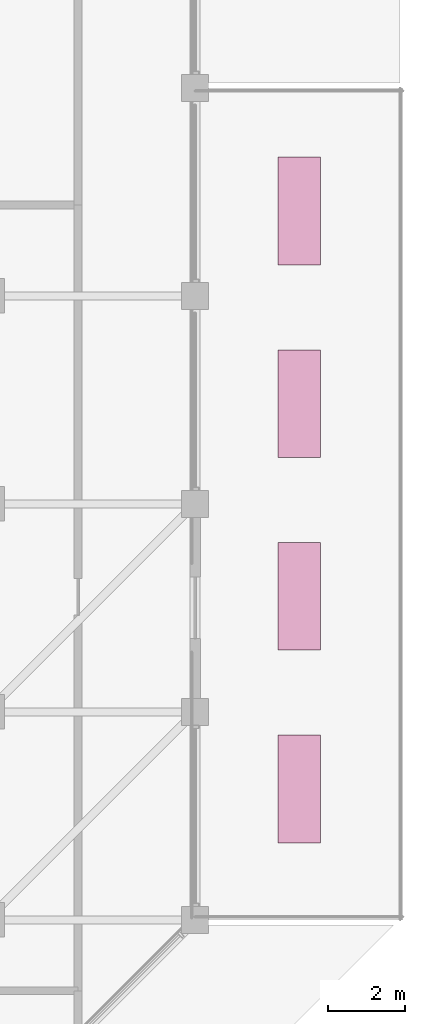
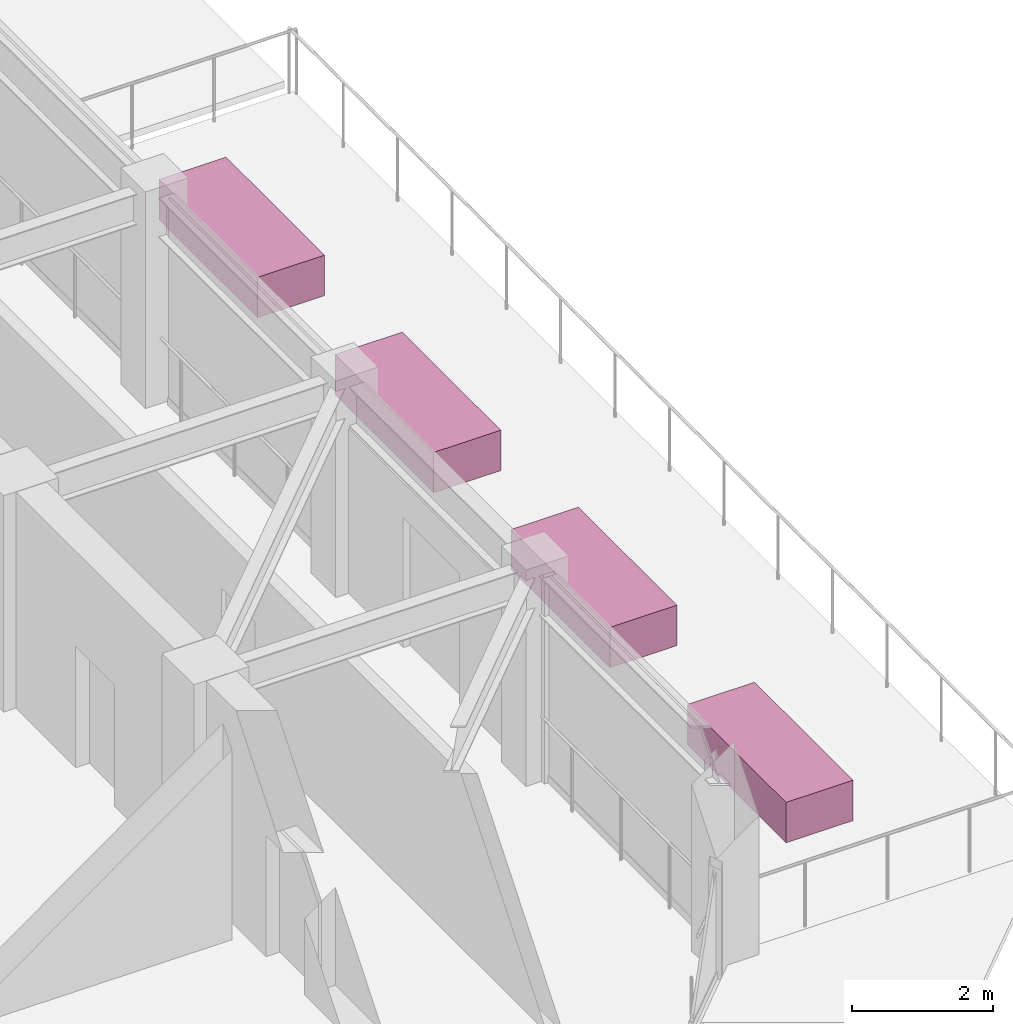
# One storey, part 34 of 34: 4 furnishings.
"""IFC4 building model written with IfcOpenShell, lengths in metres."""

from ifc_helpers import new_model, si_unit, direction, frame, origin, origin_2d, place, context, subcontext, project, spatial, rectangle, extrude, material, type_object, element, save


model = new_model("IFC4")

# Units and contexts
model_context = context("Model", 3, precision=1e-05, world=origin(), true_north=direction((0.0, 1.0)))
body_context = subcontext(model_context, "Body", "Model", "MODEL_VIEW")
ifc_project = project(units=[si_unit("LENGTHUNIT", "METRE"), si_unit("AREAUNIT", "SQUARE_METRE"), si_unit("VOLUMEUNIT", "CUBIC_METRE"), si_unit("PLANEANGLEUNIT", "RADIAN"), si_unit("MASSUNIT", "GRAM", prefix="KILO")], contexts=[model_context])

# Site, building, storey
site_placement = place(None, origin())
site = spatial("IfcSite", under=ifc_project, at=site_placement, CompositionType="ELEMENT")
building_placement = place(site_placement, origin())
building = spatial("IfcBuilding", under=site, at=building_placement, Name="Surkhivell Harbour Commons", CompositionType="ELEMENT")
storey_placement = place(building_placement, frame((0.0, 0.0, 258.75)))
storey = spatial("IfcBuildingStorey", under=building, at=storey_placement, Name="L67", CompositionType="ELEMENT", Elevation=258.75)

# Furnishings
ifc_material = material(Name="Kiln-brick faced precast concrete C40/50 and planted soil", Category="masonry")
furniture_type = type_object("IfcFurnitureType", Name="FUR-PLN-SKY", AssemblyPlace="NOTDEFINED", PredefinedType="USERDEFINED", material=ifc_material)
for number, where, z_axis, x_axis, name in (
    (1, (18.89990234375, -2.0, 0.0), (0.0, 0.0, 1.0), (0.0, 1.0, 0.0), "L67 Sky-Garden Planter PLN-1"),
    (2, (18.89990234375, 3.0, 0.0), (0.0, 0.0, 1.0), (0.0, 1.0, 0.0), "L67 Sky-Garden Planter PLN-2"),
    (3, (18.89990234375, 8.0, 0.0), (0.0, 0.0, 1.0), (0.0, 1.0, 0.0), "L67 Sky-Garden Planter PLN-3"),
    (4, (18.89990234375, 13.0, 0.0), (0.0, 0.0, 1.0), (0.0, 1.0, 0.0), "L67 Sky-Garden Planter PLN-4"),
):
    element("IfcFurnishingElement", number, at=place(storey_placement, frame(where, z_axis=z_axis, x_axis=x_axis)), inside=storey, type_object=furniture_type, Name=name, ObjectType="SKY-GARDEN PLANTER", context=body_context, shape_type="SweptSolid", body=[
        extrude(rectangle(XDim=2.800048828125, YDim=1.10009765625, at=origin_2d()), origin(), (0.0, 0.0, 1.0), 0.699951171875),
    ])

save(model, "model.ifc")
